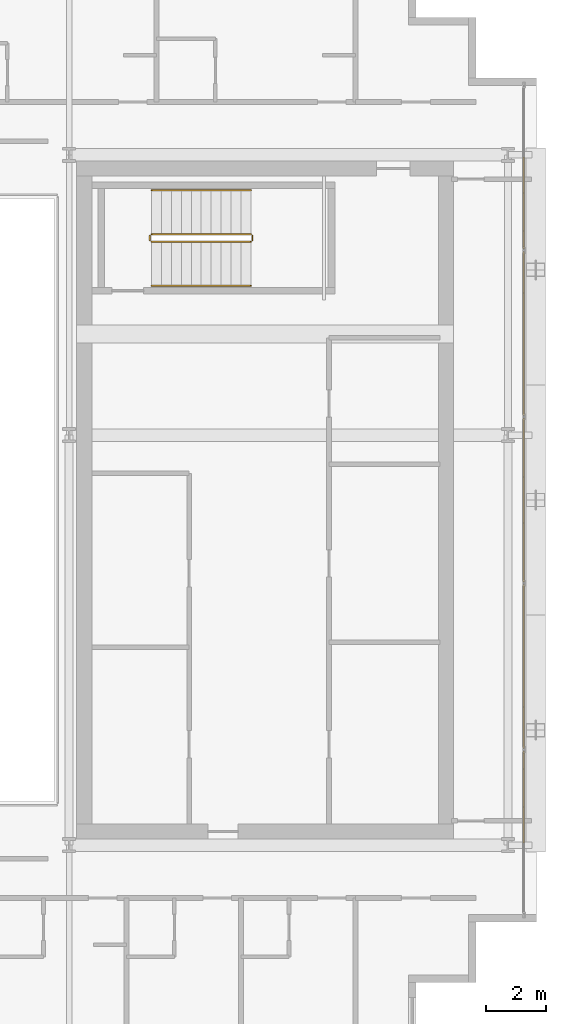
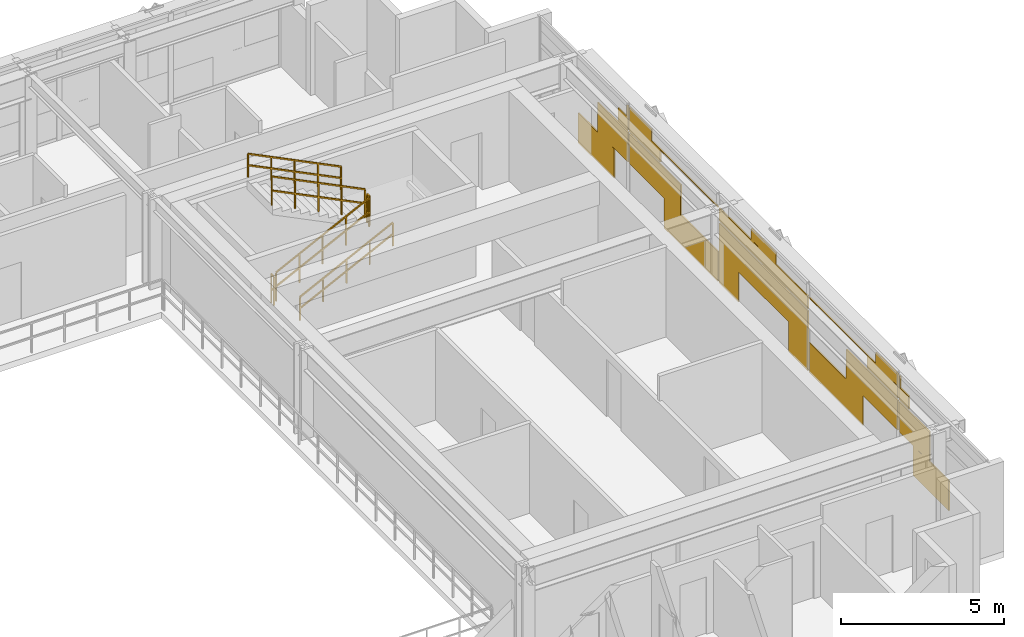
# One storey, part 30 of 31: 6 railings, 1 covering.
"""IFC4 building model written with IfcOpenShell, lengths in metres."""

from ifc_helpers import new_model, si_unit, direction, frame, origin, origin_2d, place, context, subcontext, project, spatial, rectangle, extrude, material, layer, layer_set, type_object, element, save


model = new_model("IFC4")

# Units and contexts
model_context = context("Model", 3, precision=1e-05, world=origin(), true_north=direction((0.0, 1.0)))
body_context = subcontext(model_context, "Body", "Model", "MODEL_VIEW")
ifc_project = project(units=[si_unit("LENGTHUNIT", "METRE"), si_unit("AREAUNIT", "SQUARE_METRE"), si_unit("VOLUMEUNIT", "CUBIC_METRE"), si_unit("PLANEANGLEUNIT", "RADIAN"), si_unit("MASSUNIT", "GRAM", prefix="KILO")], contexts=[model_context])

# Site, building, storey
site_placement = place(None, origin())
site = spatial("IfcSite", under=ifc_project, at=site_placement, CompositionType="ELEMENT")
building_placement = place(site_placement, origin())
building = spatial("IfcBuilding", under=site, at=building_placement, Name="Ocotamira Hotel", CompositionType="ELEMENT")
storey_placement = place(building_placement, frame((0.0, 0.0, 210.0)))
storey = spatial("IfcBuildingStorey", under=building, at=storey_placement, Name="L53", CompositionType="ELEMENT", Elevation=210.0)

# Covering
ifc_material_1 = material(Name="Insulated pale-metal aluminium spandrel panel", Category="aluminium")
ifc_layer = layer(ifc_material_1, 0.044921875)
ifc_layer_set = layer_set([ifc_layer], Name="Insulated pale-metal aluminium spandrel panel")
covering_type = type_object("IfcCoveringType", Name="COV-INFILL-45", PredefinedType="CLADDING", material=ifc_layer_set)
covering_placement = place(storey_placement, origin())
element("IfcCovering", 1, at=covering_placement, inside=storey, type_object=covering_type, Name="L53 Curtain Wall Infill CW-4 CW-L53-E", PredefinedType="CLADDING", context=body_context, shape_type="SweptSolid", body=[
    extrude(rectangle(XDim=2.205078125, YDim=0.044921875, at=origin_2d()), frame((55.580078125, 15.7314453125, 0.07568359375), z_axis=(0.0, 0.0, 1.0), x_axis=(0.0, 1.0, 0.0)), (0.0, 0.0, 1.0), 1.117919921875),
    extrude(rectangle(XDim=1.864501953125, YDim=0.044921875, at=origin_2d()), frame((55.580078125, 16.747314453125, 1.1943359375), z_axis=(0.0, 0.0, 1.0), x_axis=(0.0, 1.0, 0.0)), (0.0, 0.0, 1.0), 1.117919921875),
    extrude(rectangle(XDim=0.59912109375, YDim=0.044921875, at=origin_2d()), frame((55.580078125, 17.3798828125, 2.38818359375), z_axis=(0.0, 0.0, 1.0), x_axis=(0.0, 1.0, 0.0)), (0.0, 0.0, 1.0), 0.493896484375),
    extrude(rectangle(XDim=0.07421875, YDim=0.044921875, at=origin_2d()), frame((55.580078125, 17.642333984375, 2.883056640625), z_axis=(0.0, 0.0, 1.0), x_axis=(0.0, 1.0, 0.0)), (0.0, 0.0, 1.0), 0.41162109375),
    extrude(rectangle(XDim=3.157958984375, YDim=0.044921875, at=origin_2d()), frame((55.580078125, 19.33935546875, 1.1943359375), z_axis=(0.0, 0.0, 1.0), x_axis=(0.0, 1.0, 0.0)), (0.0, 0.0, 1.0), 1.117919921875),
    extrude(rectangle(XDim=3.30029296875, YDim=0.044921875, at=origin_2d()), frame((55.580078125, 21.54931640625, 0.07568359375), z_axis=(0.0, 0.0, 1.0), x_axis=(0.0, 1.0, 0.0)), (0.0, 0.0, 1.0), 1.117919921875),
    extrude(rectangle(XDim=1.892333984375, YDim=0.044921875, at=origin_2d()), frame((55.580078125, 18.70654296875, 2.38818359375), z_axis=(0.0, 0.0, 1.0), x_axis=(0.0, 1.0, 0.0)), (0.0, 0.0, 1.0), 0.459716796875),
    extrude(rectangle(XDim=5.43896484375, YDim=0.044921875, at=origin_2d()), frame((55.580078125, 20.47998046875, 2.848876953125), z_axis=(0.0, 0.0, 1.0), x_axis=(0.0, 1.0, 0.0)), (0.0, 0.0, 1.0), 0.033203125),
    extrude(rectangle(XDim=1.367431640625, YDim=0.044921875, at=origin_2d()), frame((55.580078125, 18.444091796875, 2.883056640625), z_axis=(0.0, 0.0, 1.0), x_axis=(0.0, 1.0, 0.0)), (0.0, 0.0, 1.0), 0.41162109375),
    extrude(rectangle(XDim=1.18701171875, YDim=0.044921875, at=origin_2d()), frame((55.580078125, 23.873779296875, 0.07568359375), z_axis=(0.0, 0.0, 1.0), x_axis=(0.0, 1.0, 0.0)), (0.0, 0.0, 1.0), 1.117919921875),
    extrude(rectangle(XDim=5.43896484375, YDim=0.044921875, at=origin_2d()), frame((55.580078125, 26.0, 1.1943359375), z_axis=(0.0, 0.0, 1.0), x_axis=(0.0, 1.0, 0.0)), (0.0, 0.0, 1.0), 1.117919921875),
    extrude(rectangle(XDim=1.18701171875, YDim=0.044921875, at=origin_2d()), frame((55.580078125, 28.126220703125, 0.07568359375), z_axis=(0.0, 0.0, 1.0), x_axis=(0.0, 1.0, 0.0)), (0.0, 0.0, 1.0), 1.117919921875),
    extrude(rectangle(XDim=5.43896484375, YDim=0.044921875, at=origin_2d()), frame((55.580078125, 26.0, 2.38818359375), z_axis=(0.0, 0.0, 1.0), x_axis=(0.0, 1.0, 0.0)), (0.0, 0.0, 1.0), 0.493896484375),
    extrude(rectangle(XDim=1.522705078125, YDim=0.044921875, at=origin_2d()), frame((55.580078125, 26.0, 2.883056640625), z_axis=(0.0, 0.0, 1.0), x_axis=(0.0, 1.0, 0.0)), (0.0, 0.0, 1.0), 0.41162109375),
    extrude(rectangle(XDim=3.30029296875, YDim=0.044921875, at=origin_2d()), frame((55.580078125, 30.45068359375, 0.07568359375), z_axis=(0.0, 0.0, 1.0), x_axis=(0.0, 1.0, 0.0)), (0.0, 0.0, 1.0), 1.117919921875),
    extrude(rectangle(XDim=3.157958984375, YDim=0.044921875, at=origin_2d()), frame((55.580078125, 32.66064453125, 1.1943359375), z_axis=(0.0, 0.0, 1.0), x_axis=(0.0, 1.0, 0.0)), (0.0, 0.0, 1.0), 1.117919921875),
    extrude(rectangle(XDim=5.43896484375, YDim=0.044921875, at=origin_2d()), frame((55.580078125, 31.52001953125, 2.848876953125), z_axis=(0.0, 0.0, 1.0), x_axis=(0.0, 1.0, 0.0)), (0.0, 0.0, 1.0), 0.033203125),
    extrude(rectangle(XDim=1.892333984375, YDim=0.044921875, at=origin_2d()), frame((55.580078125, 33.29345703125, 2.38818359375), z_axis=(0.0, 0.0, 1.0), x_axis=(0.0, 1.0, 0.0)), (0.0, 0.0, 1.0), 0.459716796875),
    extrude(rectangle(XDim=1.367431640625, YDim=0.044921875, at=origin_2d()), frame((55.580078125, 33.555908203125, 2.883056640625), z_axis=(0.0, 0.0, 1.0), x_axis=(0.0, 1.0, 0.0)), (0.0, 0.0, 1.0), 0.41162109375),
    extrude(rectangle(XDim=1.864501953125, YDim=0.044921875, at=origin_2d()), frame((55.580078125, 35.252685546875, 1.1943359375), z_axis=(0.0, 0.0, 1.0), x_axis=(0.0, 1.0, 0.0)), (0.0, 0.0, 1.0), 1.117919921875),
    extrude(rectangle(XDim=2.205078125, YDim=0.044921875, at=origin_2d()), frame((55.580078125, 36.2685546875, 0.07568359375), z_axis=(0.0, 0.0, 1.0), x_axis=(0.0, 1.0, 0.0)), (0.0, 0.0, 1.0), 1.117919921875),
    extrude(rectangle(XDim=0.59912109375, YDim=0.044921875, at=origin_2d()), frame((55.580078125, 34.6201171875, 2.38818359375), z_axis=(0.0, 0.0, 1.0), x_axis=(0.0, 1.0, 0.0)), (0.0, 0.0, 1.0), 0.493896484375),
    extrude(rectangle(XDim=0.07421875, YDim=0.044921875, at=origin_2d()), frame((55.580078125, 34.357666015625, 2.883056640625), z_axis=(0.0, 0.0, 1.0), x_axis=(0.0, 1.0, 0.0)), (0.0, 0.0, 1.0), 0.41162109375),
])

# Railings
ifc_material_2 = material(Name="Brushed stainless steel handrail", Category="steel")
railing_type_1 = type_object("IfcRailingType", Name="RL-HAND-900", PredefinedType="HANDRAIL", material=ifc_material_2)
railing_1_placement = place(storey_placement, frame((43.22998046875, 33.10009765625, 0.327392578125)))
element("IfcRailing", 2, at=railing_1_placement, inside=storey, type_object=railing_type_1, Name="L53 ST-4 stair handrail 1", PredefinedType="HANDRAIL", context=body_context, shape_type="SweptSolid", body=[
    extrude(rectangle(XDim=0.048095703125, YDim=0.048095703125, at=origin_2d()), frame((0.0, 0.0, 0.8759765625), z_axis=(0.895920123917, 0.0, 0.444215186098), x_axis=(0.0, 1.0, 0.0)), (0.0, 0.0, 1.0), 3.683349609375),
    extrude(rectangle(XDim=0.048095703125, YDim=0.048095703125, at=origin_2d()), frame((0.0, 0.0, 0.449951171875), z_axis=(0.895920123917, 0.0, 0.444215186098), x_axis=(0.0, 1.0, 0.0)), (0.0, 0.0, 1.0), 3.683349609375),
    extrude(rectangle(XDim=0.0419921875, YDim=0.0419921875, at=origin_2d()), origin(), (0.0, 0.0, 1.0), 0.851806640625),
    extrude(rectangle(XDim=0.0419921875, YDim=0.0419921875, at=origin_2d()), frame((0.824951171875, 0.0, 0.4091796875)), (0.0, 0.0, 1.0), 0.851806640625),
    extrude(rectangle(XDim=0.0419921875, YDim=0.0419921875, at=origin_2d()), frame((1.64990234375, 0.0, 0.818115234375)), (0.0, 0.0, 1.0), 0.851806640625),
    extrude(rectangle(XDim=0.0419921875, YDim=0.0419921875, at=origin_2d()), frame((2.47509765625, 0.0, 1.22705078125)), (0.0, 0.0, 1.0), 0.851806640625),
    extrude(rectangle(XDim=0.0419921875, YDim=0.0419921875, at=origin_2d()), frame((3.300048828125, 0.0, 1.63623046875)), (0.0, 0.0, 1.0), 0.851806640625),
])
railing_2_placement = place(storey_placement, frame((46.530029296875, 36.280029296875, 2.127197265625)))
element("IfcRailing", 3, at=railing_2_placement, inside=storey, type_object=railing_type_1, Name="L53 ST-4 stair handrail 2", PredefinedType="HANDRAIL", context=body_context, shape_type="SweptSolid", body=[
    extrude(rectangle(XDim=0.048095703125, YDim=0.048095703125, at=origin_2d()), frame((0.0, 0.0, 0.8759765625), z_axis=(-0.895893744519, 0.0, 0.4442683857), x_axis=(0.0, -1.0, 0.0)), (0.0, 0.0, 1.0), 3.68359375),
    extrude(rectangle(XDim=0.048095703125, YDim=0.048095703125, at=origin_2d()), frame((0.0, 0.0, 0.449951171875), z_axis=(-0.895893744519, 0.0, 0.4442683857), x_axis=(0.0, -1.0, 0.0)), (0.0, 0.0, 1.0), 3.68359375),
    extrude(rectangle(XDim=0.0419921875, YDim=0.0419921875, at=origin_2d()), origin(), (0.0, 0.0, 1.0), 0.851806640625),
    extrude(rectangle(XDim=0.0419921875, YDim=0.0419921875, at=origin_2d()), frame((-0.824951171875, 0.0, 0.4091796875)), (0.0, 0.0, 1.0), 0.851806640625),
    extrude(rectangle(XDim=0.0419921875, YDim=0.0419921875, at=origin_2d()), frame((-1.64990234375, 0.0, 0.818359375)), (0.0, 0.0, 1.0), 0.851806640625),
    extrude(rectangle(XDim=0.0419921875, YDim=0.0419921875, at=origin_2d()), frame((-2.47509765625, 0.0, 1.227294921875)), (0.0, 0.0, 1.0), 0.851806640625),
    extrude(rectangle(XDim=0.0419921875, YDim=0.0419921875, at=origin_2d()), frame((-3.300048828125, 0.0, 1.636474609375)), (0.0, 0.0, 1.0), 0.851806640625),
])
ifc_material_3 = material(Name="Painted steel stair guardrail", Category="steel")
railing_type_2 = type_object("IfcRailingType", Name="RL-STAIR-1100", PredefinedType="GUARDRAIL", material=ifc_material_3)
railing_3_placement = place(storey_placement, frame((43.22998046875, 34.56005859375, 0.16357421875)))
element("IfcRailing", 4, at=railing_3_placement, inside=storey, type_object=railing_type_2, Name="L53 ST-4 stair guard 1", PredefinedType="GUARDRAIL", context=body_context, shape_type="SweptSolid", body=[
    extrude(rectangle(XDim=0.048095703125, YDim=0.048095703125, at=origin_2d()), frame((0.0, 0.0, 1.076171875), z_axis=(0.895893744519, 0.0, 0.4442683857), x_axis=(0.0, 1.0, 0.0)), (0.0, 0.0, 1.0), 3.68359375),
    extrude(rectangle(XDim=0.048095703125, YDim=0.048095703125, at=origin_2d()), frame((0.0, 0.0, 0.550048828125), z_axis=(0.895893744519, 0.0, 0.4442683857), x_axis=(0.0, 1.0, 0.0)), (0.0, 0.0, 1.0), 3.68359375),
    extrude(rectangle(XDim=0.0419921875, YDim=0.0419921875, at=origin_2d()), origin(), (0.0, 0.0, 1.0), 1.052001953125),
    extrude(rectangle(XDim=0.0419921875, YDim=0.0419921875, at=origin_2d()), frame((0.824951171875, 0.0, 0.4091796875)), (0.0, 0.0, 1.0), 1.052001953125),
    extrude(rectangle(XDim=0.0419921875, YDim=0.0419921875, at=origin_2d()), frame((1.64990234375, 0.0, 0.818359375)), (0.0, 0.0, 1.0), 1.052001953125),
    extrude(rectangle(XDim=0.0419921875, YDim=0.0419921875, at=origin_2d()), frame((2.47509765625, 0.0, 1.227294921875)), (0.0, 0.0, 1.0), 1.052001953125),
    extrude(rectangle(XDim=0.0419921875, YDim=0.0419921875, at=origin_2d()), frame((3.300048828125, 0.0, 1.636474609375)), (0.0, 0.0, 1.0), 1.052001953125),
])
railing_4_placement = place(storey_placement, frame((46.580078125, 34.610107421875, 1.800048828125)))
element("IfcRailing", 5, at=railing_4_placement, inside=storey, type_object=railing_type_2, Name="L53 ST-4 stair guard 2", PredefinedType="GUARDRAIL", context=body_context, shape_type="SweptSolid", body=[
    extrude(rectangle(XDim=0.048095703125, YDim=0.048095703125, at=origin_2d()), frame((0.0, 0.0, 1.076171875), z_axis=(0.0, 1.0, 0.0), x_axis=(-1.0, 0.0, 0.0)), (0.0, 0.0, 1.0), 0.159912109375),
    extrude(rectangle(XDim=0.048095703125, YDim=0.048095703125, at=origin_2d()), frame((0.0, 0.0, 0.550048828125), z_axis=(0.0, 1.0, 0.0), x_axis=(-1.0, 0.0, 0.0)), (0.0, 0.0, 1.0), 0.159912109375),
    extrude(rectangle(XDim=0.0419921875, YDim=0.0419921875, at=origin_2d()), origin(), (0.0, 0.0, 1.0), 1.052001953125),
    extrude(rectangle(XDim=0.0419921875, YDim=0.0419921875, at=origin_2d()), frame((0.0, 0.159912109375, 0.0)), (0.0, 0.0, 1.0), 1.052001953125),
])
railing_5_placement = place(storey_placement, frame((46.530029296875, 34.820068359375, 1.963623046875)))
element("IfcRailing", 6, at=railing_5_placement, inside=storey, type_object=railing_type_2, Name="L53 ST-4 stair guard 3", PredefinedType="GUARDRAIL", context=body_context, shape_type="SweptSolid", body=[
    extrude(rectangle(XDim=0.048095703125, YDim=0.048095703125, at=origin_2d()), frame((0.0, 0.0, 1.076171875), z_axis=(-0.895893744519, 0.0, 0.4442683857), x_axis=(0.0, -1.0, 0.0)), (0.0, 0.0, 1.0), 3.68359375),
    extrude(rectangle(XDim=0.048095703125, YDim=0.048095703125, at=origin_2d()), frame((0.0, 0.0, 0.550048828125), z_axis=(-0.895893744519, 0.0, 0.4442683857), x_axis=(0.0, -1.0, 0.0)), (0.0, 0.0, 1.0), 3.68359375),
    extrude(rectangle(XDim=0.0419921875, YDim=0.0419921875, at=origin_2d()), origin(), (0.0, 0.0, 1.0), 1.052001953125),
    extrude(rectangle(XDim=0.0419921875, YDim=0.0419921875, at=origin_2d()), frame((-0.824951171875, 0.0, 0.4091796875)), (0.0, 0.0, 1.0), 1.052001953125),
    extrude(rectangle(XDim=0.0419921875, YDim=0.0419921875, at=origin_2d()), frame((-1.64990234375, 0.0, 0.818359375)), (0.0, 0.0, 1.0), 1.052001953125),
    extrude(rectangle(XDim=0.0419921875, YDim=0.0419921875, at=origin_2d()), frame((-2.47509765625, 0.0, 1.227294921875)), (0.0, 0.0, 1.0), 1.052001953125),
    extrude(rectangle(XDim=0.0419921875, YDim=0.0419921875, at=origin_2d()), frame((-3.300048828125, 0.0, 1.636474609375)), (0.0, 0.0, 1.0), 1.052001953125),
])
railing_6_placement = place(storey_placement, frame((43.179931640625, 34.610107421875, 0.0)))
element("IfcRailing", 7, at=railing_6_placement, inside=storey, type_object=railing_type_2, Name="L53 ST-4 stair guard 4", PredefinedType="GUARDRAIL", context=body_context, shape_type="SweptSolid", body=[
    extrude(rectangle(XDim=0.048095703125, YDim=0.048095703125, at=origin_2d()), frame((0.0, 0.0, 1.076171875), z_axis=(0.0, 1.0, 0.0), x_axis=(-1.0, 0.0, 0.0)), (0.0, 0.0, 1.0), 0.159912109375),
    extrude(rectangle(XDim=0.048095703125, YDim=0.048095703125, at=origin_2d()), frame((0.0, 0.0, 0.550048828125), z_axis=(0.0, 1.0, 0.0), x_axis=(-1.0, 0.0, 0.0)), (0.0, 0.0, 1.0), 0.159912109375),
    extrude(rectangle(XDim=0.0419921875, YDim=0.0419921875, at=origin_2d()), origin(), (0.0, 0.0, 1.0), 1.052001953125),
    extrude(rectangle(XDim=0.0419921875, YDim=0.0419921875, at=origin_2d()), frame((0.0, 0.159912109375, 0.0)), (0.0, 0.0, 1.0), 1.052001953125),
])

save(model, "model.ifc")
